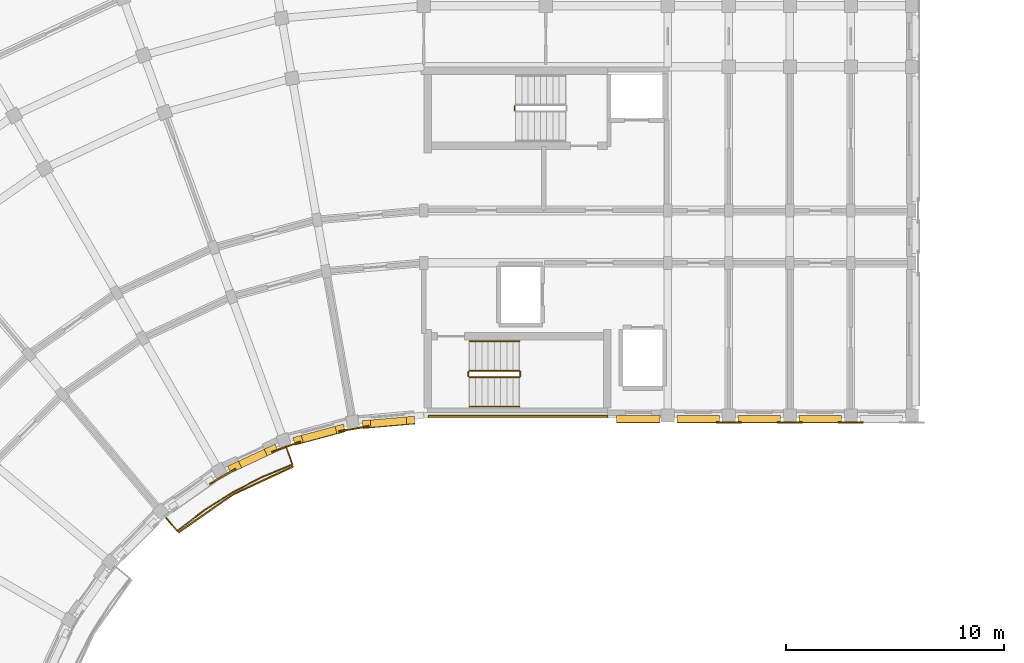
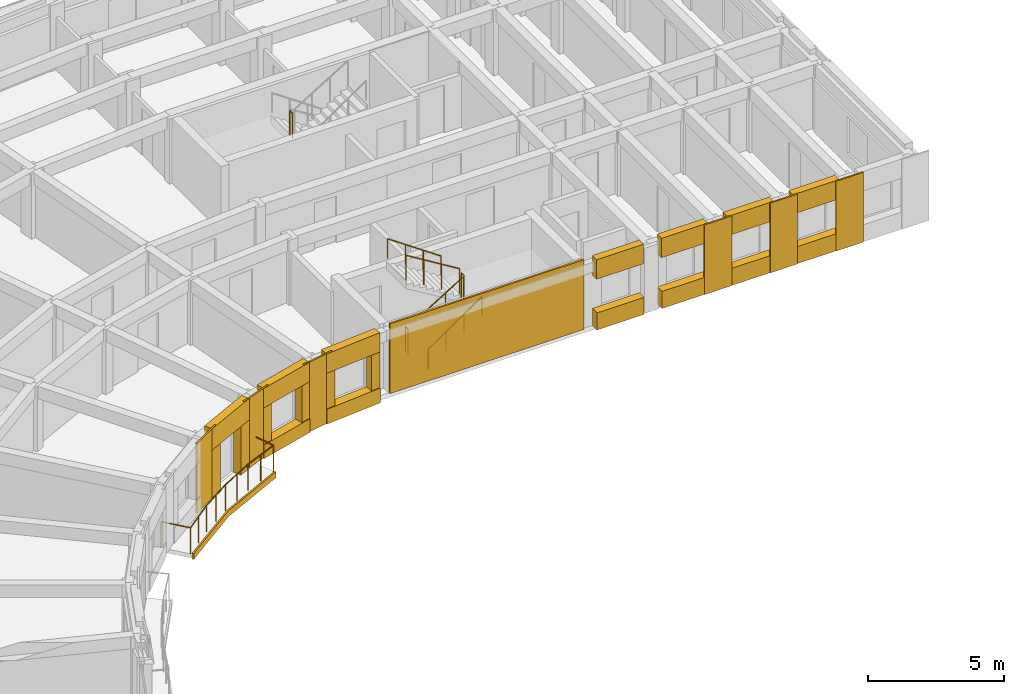
# One storey, part 26 of 32: 27 coverings, 8 railings.
"""IFC4 building model written with IfcOpenShell, lengths in metres."""

from ifc_helpers import new_model, si_unit, direction, frame, origin, origin_2d, place, context, subcontext, project, spatial, polyline, circle, outline, extrude, material, layer, layer_set, type_object, element, save


model = new_model("IFC4")

# Units and contexts
model_context = context("Model", 3, precision=1e-05, world=origin(), true_north=direction((0.0, 1.0)))
body_context = subcontext(model_context, "Body", "Model", "MODEL_VIEW")
ifc_project = project(units=[si_unit("LENGTHUNIT", "METRE"), si_unit("AREAUNIT", "SQUARE_METRE"), si_unit("VOLUMEUNIT", "CUBIC_METRE"), si_unit("PLANEANGLEUNIT", "RADIAN"), si_unit("MASSUNIT", "GRAM", prefix="KILO")], contexts=[model_context])

# Site, building, storey
site_placement = place(None, origin())
site = spatial("IfcSite", under=ifc_project, at=site_placement, CompositionType="ELEMENT")
building_placement = place(site_placement, origin())
building = spatial("IfcBuilding", under=site, at=building_placement, Name="Kiranvali Square Residences", CompositionType="ELEMENT")
storey_placement = place(building_placement, frame((0.0, 0.0, 40.199951171875)))
storey = spatial("IfcBuildingStorey", under=building, at=storey_placement, Name="L12", CompositionType="ELEMENT", Elevation=40.199951171875)

# Coverings
ifc_material_1 = material(Name="Carved Porbandar limestone classical entablature and cornice", Category="masonry")
ifc_layer_1 = layer(ifc_material_1, 0.06201171875)
ifc_layer_set_1 = layer_set([ifc_layer_1], Name="Carved Porbandar limestone classical entablature and cornice")
covering_type_1 = type_object("IfcCoveringType", Name="COV-CLAD-GBAL", PredefinedType="CLADDING", material=ifc_layer_set_1)
covering_1_placement = place(storey_placement, frame((0.0, 0.0, -0.219970703125)))
element("IfcCovering", 1, at=covering_1_placement, inside=storey, type_object=covering_type_1, Name="Block A L12 garden balcony limestone fascia 1", PredefinedType="CLADDING", context=body_context, shape_type="SweptSolid", body=[
    extrude(outline(polyline([(42.1982421875, 104.289794921875), (39.426025390625, 102.9970703125), (36.92041015625, 101.242431640625), (36.964111328125, 101.1904296875), (39.4599609375, 102.938232421875), (42.221435546875, 104.225830078125), (42.1982421875, 104.289794921875)])), origin(), (0.0, 0.0, 1.0), 0.27001953125),
])
ifc_material_2 = material(Name="Honed Porbandar limestone ashlar facade cladding", Category="masonry")
ifc_layer_2 = layer(ifc_material_2, 0.3798828125)
ifc_layer_set_2 = layer_set([ifc_layer_2], Name="Honed Porbandar limestone ashlar facade cladding")
covering_type_2 = type_object("IfcCoveringType", Name="COV-CLAD-JAMB", PredefinedType="CLADDING", material=ifc_layer_set_2)
covering_2_placement = place(storey_placement, frame((0.0, 0.0, 0.672119140625)))
element("IfcCovering", 2, at=covering_2_placement, inside=storey, type_object=covering_type_2, Name="L12 deep limestone window jamb reveal A-L12-GDN-00.L", PredefinedType="CLADDING", context=body_context, shape_type="SweptSolid", body=[
    extrude(outline(polyline([(47.76171875, 106.56103515625), (47.3896484375, 106.528564453125), (47.419189453125, 106.1904296875), (47.791259765625, 106.222900390625), (47.76171875, 106.56103515625)])), origin(), (0.0, 0.0, 1.0), 1.599853515625),
])
covering_3_placement = place(storey_placement, frame((0.0, 0.0, 0.672119140625)))
element("IfcCovering", 3, at=covering_3_placement, inside=storey, type_object=covering_type_2, Name="L12 deep limestone window jamb reveal A-L12-GDN-00.R", PredefinedType="CLADDING", context=body_context, shape_type="SweptSolid", body=[
    extrude(outline(polyline([(45.745849609375, 106.384765625), (45.373779296875, 106.352294921875), (45.4033203125, 106.013916015625), (45.775390625, 106.046630859375), (45.745849609375, 106.384765625)])), origin(), (0.0, 0.0, 1.0), 1.599853515625),
])
covering_4_placement = place(storey_placement, frame((0.0, 0.0, 0.6220703125)))
element("IfcCovering", 4, at=covering_4_placement, inside=storey, type_object=covering_type_2, Name="L12 deep limestone window jamb reveal A-L12-GDN-01.L", PredefinedType="CLADDING", context=body_context, shape_type="SweptSolid", body=[
    extrude(outline(polyline([(44.510498046875, 106.199951171875), (44.12548828125, 106.096923828125), (44.21337890625, 105.76904296875), (44.598388671875, 105.8720703125), (44.510498046875, 106.199951171875)])), origin(), (0.0, 0.0, 1.0), 1.64990234375),
])
covering_5_placement = place(storey_placement, frame((0.0, 0.0, 0.6220703125)))
element("IfcCovering", 5, at=covering_5_placement, inside=storey, type_object=covering_type_2, Name="L12 deep limestone window jamb reveal A-L12-GDN-01.R", PredefinedType="CLADDING", context=body_context, shape_type="SweptSolid", body=[
    extrude(outline(polyline([(42.580078125, 105.682861328125), (42.195068359375, 105.57958984375), (42.282958984375, 105.251708984375), (42.66796875, 105.354736328125), (42.580078125, 105.682861328125)])), origin(), (0.0, 0.0, 1.0), 1.64990234375),
])
covering_6_placement = place(storey_placement, origin())
element("IfcCovering", 6, at=covering_6_placement, inside=storey, type_object=covering_type_2, Name="L12 deep limestone window jamb reveal A-L12-GDN-02.L", PredefinedType="CLADDING", context=body_context, shape_type="SweptSolid", body=[
    extrude(outline(polyline([(41.37158203125, 105.27978515625), (40.874267578125, 105.048095703125), (41.017822265625, 104.740234375), (41.514892578125, 104.97216796875), (41.37158203125, 105.27978515625)])), origin(), (0.0, 0.0, 1.0), 2.179931640625),
])
covering_7_placement = place(storey_placement, origin())
element("IfcCovering", 7, at=covering_7_placement, inside=storey, type_object=covering_type_2, Name="L12 deep limestone window jamb reveal A-L12-GDN-02.R", PredefinedType="CLADDING", context=body_context, shape_type="SweptSolid", body=[
    extrude(outline(polyline([(39.696044921875, 104.49853515625), (39.198974609375, 104.266845703125), (39.342529296875, 103.958984375), (39.839599609375, 104.19091796875), (39.696044921875, 104.49853515625)])), origin(), (0.0, 0.0, 1.0), 2.179931640625),
])
ifc_layer_3 = layer(ifc_material_2, 0.06494140625)
ifc_layer_set_3 = layer_set([ifc_layer_3], Name="Honed Porbandar limestone ashlar facade cladding")
covering_type_3 = type_object("IfcCoveringType", Name="COV-CLAD-PIER", PredefinedType="CLADDING", material=ifc_layer_set_3)
covering_8_placement = place(storey_placement, frame((0.0, 0.0, 0.005126953125)))
element("IfcCovering", 8, at=covering_8_placement, inside=storey, type_object=covering_type_3, Name="Block A L12 garden stair limestone ashlar cladding", PredefinedType="CLADDING", context=body_context, shape_type="SweptSolid", body=[
    extrude(outline(polyline([(48.39990234375, 106.52001953125), (56.64990234375, 106.52001953125), (56.64990234375, 106.597900390625), (48.39990234375, 106.597900390625), (48.39990234375, 106.52001953125)])), origin(), (0.0, 0.0, 1.0), 3.139892578125),
])
ifc_layer_4 = layer(ifc_material_2, 0.050048828125)
ifc_layer_set_4 = layer_set([ifc_layer_4], Name="Honed Porbandar limestone ashlar facade cladding")
covering_type_4 = type_object("IfcCoveringType", Name="COV-CLAD-PIER-IN", PredefinedType="CLADDING", material=ifc_layer_set_4)
covering_9_placement = place(storey_placement, frame((0.0, 0.0, 0.005126953125)))
element("IfcCovering", 9, at=covering_9_placement, inside=storey, type_object=covering_type_4, Name="L12 Classical garden courtyard pilaster CLAD-PRIN-A-L12-A01", PredefinedType="CLADDING", context=body_context, shape_type="SweptSolid", body=[
    extrude(outline(polyline([(44.31005859375, 105.830322265625), (45.688720703125, 106.073486328125), (45.677001953125, 106.139892578125), (44.29833984375, 105.89697265625), (44.31005859375, 105.830322265625)])), origin(), (0.0, 0.0, 1.0), 3.139892578125),
])
covering_10_placement = place(storey_placement, frame((0.0, 0.0, 0.005126953125)))
element("IfcCovering", 10, at=covering_10_placement, inside=storey, type_object=covering_type_4, Name="L12 Classical garden courtyard pilaster CLAD-PRIN-A-L12-A02", PredefinedType="CLADDING", context=body_context, shape_type="SweptSolid", body=[
    extrude(outline(polyline([(41.238037109375, 104.881103515625), (42.5537109375, 105.35986328125), (42.530517578125, 105.42333984375), (41.215087890625, 104.9443359375), (41.238037109375, 104.881103515625)])), origin(), (0.0, 0.0, 1.0), 3.139892578125),
])
covering_11_placement = place(storey_placement, frame((0.0, 0.0, 0.005126953125)))
element("IfcCovering", 11, at=covering_11_placement, inside=storey, type_object=covering_type_4, Name="L12 Classical garden courtyard pilaster CLAD-PRIN-A-L12-A03", PredefinedType="CLADDING", context=body_context, shape_type="SweptSolid", body=[
    extrude(outline(polyline([(38.377685546875, 103.41259765625), (39.59033203125, 104.112548828125), (39.556396484375, 104.171142578125), (38.343994140625, 103.470947265625), (38.377685546875, 103.41259765625)])), origin(), (0.0, 0.0, 1.0), 3.139892578125),
])
covering_12_placement = place(storey_placement, frame((0.0, 0.0, 0.005126953125)))
element("IfcCovering", 12, at=covering_12_placement, inside=storey, type_object=covering_type_4, Name="L12 Classical limestone pilaster casing CLAD-PRA1I-A-L12-U140", PredefinedType="CLADDING", context=body_context, shape_type="SweptSolid", body=[
    extrude(outline(polyline([(61.6201171875, 106.23193359375), (62.780029296875, 106.23193359375), (62.780029296875, 106.299560546875), (61.6201171875, 106.299560546875), (61.6201171875, 106.23193359375)])), origin(), (0.0, 0.0, 1.0), 3.139892578125),
])
covering_13_placement = place(storey_placement, frame((0.0, 0.0, 0.005126953125)))
element("IfcCovering", 13, at=covering_13_placement, inside=storey, type_object=covering_type_4, Name="L12 Classical limestone pilaster casing CLAD-PRA1I-A-L12-U167", PredefinedType="CLADDING", context=body_context, shape_type="SweptSolid", body=[
    extrude(outline(polyline([(64.419921875, 106.23193359375), (65.580078125, 106.23193359375), (65.580078125, 106.299560546875), (64.419921875, 106.299560546875), (64.419921875, 106.23193359375)])), origin(), (0.0, 0.0, 1.0), 3.139892578125),
])
covering_14_placement = place(storey_placement, frame((0.0, 0.0, 0.005126953125)))
element("IfcCovering", 14, at=covering_14_placement, inside=storey, type_object=covering_type_4, Name="L12 Classical limestone pilaster casing CLAD-PRA1I-A-L12-U195", PredefinedType="CLADDING", context=body_context, shape_type="SweptSolid", body=[
    extrude(outline(polyline([(67.219970703125, 106.23193359375), (68.3798828125, 106.23193359375), (68.3798828125, 106.299560546875), (67.219970703125, 106.299560546875), (67.219970703125, 106.23193359375)])), origin(), (0.0, 0.0, 1.0), 3.139892578125),
])
ifc_layer_5 = layer(ifc_material_2, 0.360107421875)
ifc_layer_set_5 = layer_set([ifc_layer_5], Name="Honed Porbandar limestone ashlar facade cladding")
covering_type_5 = type_object("IfcCoveringType", Name="COV-CLAD-WALL", PredefinedType="CLADDING", material=ifc_layer_set_5)
covering_15_placement = place(storey_placement, frame((0.0, 0.0, 2.27197265625)))
element("IfcCovering", 15, at=covering_15_placement, inside=storey, type_object=covering_type_5, Name="L12 light limestone spandrel lintel A-L12-GDN-00", PredefinedType="CLADDING", context=body_context, shape_type="SweptSolid", body=[
    extrude(outline(polyline([(47.76171875, 106.56103515625), (45.373779296875, 106.352294921875), (45.4033203125, 106.013916015625), (47.791259765625, 106.222900390625), (47.76171875, 106.56103515625)])), origin(), (0.0, 0.0, 1.0), 0.873046875),
])
covering_16_placement = place(storey_placement, frame((0.0, 0.0, 2.27197265625)))
element("IfcCovering", 16, at=covering_16_placement, inside=storey, type_object=covering_type_5, Name="L12 light limestone spandrel lintel A-L12-GDN-01", PredefinedType="CLADDING", context=body_context, shape_type="SweptSolid", body=[
    extrude(outline(polyline([(44.510498046875, 106.199951171875), (42.195068359375, 105.57958984375), (42.282958984375, 105.251708984375), (44.598388671875, 105.8720703125), (44.510498046875, 106.199951171875)])), origin(), (0.0, 0.0, 1.0), 0.873046875),
])
covering_17_placement = place(storey_placement, frame((0.0, 0.0, 2.179931640625)))
element("IfcCovering", 17, at=covering_17_placement, inside=storey, type_object=covering_type_5, Name="L12 light limestone spandrel lintel A-L12-GDN-02", PredefinedType="CLADDING", context=body_context, shape_type="SweptSolid", body=[
    extrude(outline(polyline([(41.37158203125, 105.27978515625), (39.198974609375, 104.266845703125), (39.342529296875, 103.958984375), (41.514892578125, 104.97216796875), (41.37158203125, 105.27978515625)])), origin(), (0.0, 0.0, 1.0), 0.965087890625),
])
covering_18_placement = place(storey_placement, frame((0.0, 0.0, 2.27197265625)))
element("IfcCovering", 18, at=covering_18_placement, inside=storey, type_object=covering_type_5, Name="L12 light limestone spandrel lintel A-L12-A1IN-0", PredefinedType="CLADDING", context=body_context, shape_type="SweptSolid", body=[
    extrude(outline(polyline([(57.050048828125, 106.280029296875), (59.050048828125, 106.280029296875), (59.050048828125, 106.599609375), (57.050048828125, 106.599609375), (57.050048828125, 106.280029296875)])), origin(), (0.0, 0.0, 1.0), 0.873046875),
])
covering_19_placement = place(storey_placement, frame((0.0, 0.0, 2.27197265625)))
element("IfcCovering", 19, at=covering_19_placement, inside=storey, type_object=covering_type_5, Name="L12 light limestone spandrel lintel A-L12-A1I-0", PredefinedType="CLADDING", context=body_context, shape_type="SweptSolid", body=[
    extrude(outline(polyline([(59.820068359375, 106.280029296875), (61.780029296875, 106.280029296875), (61.780029296875, 106.599609375), (59.820068359375, 106.599609375), (59.820068359375, 106.280029296875)])), origin(), (0.0, 0.0, 1.0), 0.873046875),
])
covering_20_placement = place(storey_placement, frame((0.0, 0.0, 2.27197265625)))
element("IfcCovering", 20, at=covering_20_placement, inside=storey, type_object=covering_type_5, Name="L12 light limestone spandrel lintel A-L12-A1I-1", PredefinedType="CLADDING", context=body_context, shape_type="SweptSolid", body=[
    extrude(outline(polyline([(62.6201171875, 106.280029296875), (64.580078125, 106.280029296875), (64.580078125, 106.599609375), (62.6201171875, 106.599609375), (62.6201171875, 106.280029296875)])), origin(), (0.0, 0.0, 1.0), 0.873046875),
])
covering_21_placement = place(storey_placement, frame((0.0, 0.0, 2.27197265625)))
element("IfcCovering", 21, at=covering_21_placement, inside=storey, type_object=covering_type_5, Name="L12 light limestone spandrel lintel A-L12-A1I-2", PredefinedType="CLADDING", context=body_context, shape_type="SweptSolid", body=[
    extrude(outline(polyline([(65.419921875, 106.280029296875), (67.3798828125, 106.280029296875), (67.3798828125, 106.599609375), (65.419921875, 106.599609375), (65.419921875, 106.280029296875)])), origin(), (0.0, 0.0, 1.0), 0.873046875),
])
ifc_layer_6 = layer(ifc_material_2, 0.320068359375)
ifc_layer_set_6 = layer_set([ifc_layer_6], Name="Honed Porbandar limestone ashlar facade cladding")
covering_type_6 = type_object("IfcCoveringType", Name="COV-CLAD-WALL-UP", PredefinedType="CLADDING", material=ifc_layer_set_6)
covering_22_placement = place(storey_placement, frame((0.0, 0.0, 0.005126953125)))
element("IfcCovering", 22, at=covering_22_placement, inside=storey, type_object=covering_type_6, Name="L12 limestone window sill apron A-L12-GDN-00", PredefinedType="CLADDING", context=body_context, shape_type="SweptSolid", body=[
    extrude(outline(polyline([(47.76171875, 106.56103515625), (45.373779296875, 106.352294921875), (45.406005859375, 105.984130859375), (47.7939453125, 106.193115234375), (47.76171875, 106.56103515625)])), origin(), (0.0, 0.0, 1.0), 0.6669921875),
])
covering_23_placement = place(storey_placement, frame((0.0, 0.0, 0.005126953125)))
element("IfcCovering", 23, at=covering_23_placement, inside=storey, type_object=covering_type_6, Name="L12 limestone window sill apron A-L12-GDN-01", PredefinedType="CLADDING", context=body_context, shape_type="SweptSolid", body=[
    extrude(outline(polyline([(44.510498046875, 106.199951171875), (42.195068359375, 105.57958984375), (42.290771484375, 105.22265625), (44.606201171875, 105.843017578125), (44.510498046875, 106.199951171875)])), origin(), (0.0, 0.0, 1.0), 0.616943359375),
])
covering_24_placement = place(storey_placement, frame((0.0, 0.0, 0.005126953125)))
element("IfcCovering", 24, at=covering_24_placement, inside=storey, type_object=covering_type_6, Name="L12 limestone window sill apron A-L12-A1IN-0", PredefinedType="CLADDING", context=body_context, shape_type="SweptSolid", body=[
    extrude(outline(polyline([(57.050048828125, 106.25), (59.050048828125, 106.25), (59.050048828125, 106.599609375), (57.050048828125, 106.599609375), (57.050048828125, 106.25)])), origin(), (0.0, 0.0, 1.0), 0.766845703125),
])
covering_25_placement = place(storey_placement, frame((0.0, 0.0, 0.005126953125)))
element("IfcCovering", 25, at=covering_25_placement, inside=storey, type_object=covering_type_6, Name="L12 limestone window sill apron A-L12-A1I-0", PredefinedType="CLADDING", context=body_context, shape_type="SweptSolid", body=[
    extrude(outline(polyline([(59.820068359375, 106.25), (61.780029296875, 106.25), (61.780029296875, 106.599609375), (59.820068359375, 106.599609375), (59.820068359375, 106.25)])), origin(), (0.0, 0.0, 1.0), 0.766845703125),
])
covering_26_placement = place(storey_placement, frame((0.0, 0.0, 0.005126953125)))
element("IfcCovering", 26, at=covering_26_placement, inside=storey, type_object=covering_type_6, Name="L12 limestone window sill apron A-L12-A1I-1", PredefinedType="CLADDING", context=body_context, shape_type="SweptSolid", body=[
    extrude(outline(polyline([(62.6201171875, 106.25), (64.580078125, 106.25), (64.580078125, 106.599609375), (62.6201171875, 106.599609375), (62.6201171875, 106.25)])), origin(), (0.0, 0.0, 1.0), 0.766845703125),
])
covering_27_placement = place(storey_placement, frame((0.0, 0.0, 0.005126953125)))
element("IfcCovering", 27, at=covering_27_placement, inside=storey, type_object=covering_type_6, Name="L12 limestone window sill apron A-L12-A1I-2", PredefinedType="CLADDING", context=body_context, shape_type="SweptSolid", body=[
    extrude(outline(polyline([(65.419921875, 106.25), (67.3798828125, 106.25), (67.3798828125, 106.599609375), (65.419921875, 106.599609375), (65.419921875, 106.25)])), origin(), (0.0, 0.0, 1.0), 0.766845703125),
])

# Railings
ifc_material_3 = material(Name="Powder-coated architectural bronze balustrade", Category="steel")
railing_type_1 = type_object("IfcRailingType", Name="RL-BAL-GOLD-1200", PredefinedType="BALUSTRADE", material=ifc_material_3)
railing_1_placement = place(storey_placement, frame((41.78369140625, 105.4287109375, 0.0)))
element("IfcRailing", 28, at=railing_1_placement, inside=storey, type_object=railing_type_1, Name="Block A L12 garden balcony gold balustrade 1", PredefinedType="BALUSTRADE", context=body_context, shape_type="SweptSolid", body=[
    extrude(circle(Radius=0.02392578125, at=origin_2d()), frame((0.0, 0.0, 1.17578125), z_axis=(0.341964618562, -0.939712828289, 0.0), x_axis=(0.939712828289, 0.341964618562, 0.0)), (0.0, 0.0, 1.0), 1.150146484375),
    extrude(circle(Radius=0.02392578125, at=origin_2d()), frame((0.393310546875, -1.080810546875, 1.17578125), z_axis=(-0.923892883829, -0.382651197843, 0.0), x_axis=(0.382651197843, -0.923892883829, 0.0)), (0.0, 0.0, 1.0), 1.536376953125),
    extrude(circle(Radius=0.02392578125, at=origin_2d()), frame((-1.026123046875, -1.668701171875, 1.17578125), z_axis=(-0.887029366154, -0.461713009976, 0.0), x_axis=(0.461713009976, -0.887029366154, 0.0)), (0.0, 0.0, 1.0), 1.5361328125),
    extrude(circle(Radius=0.02392578125, at=origin_2d()), frame((-2.388671875, -2.3779296875, 1.17578125), z_axis=(-0.843386539688, -0.537307309343, 0.0), x_axis=(0.537307309343, -0.843386539688, 0.0)), (0.0, 0.0, 1.0), 1.5361328125),
    extrude(circle(Radius=0.02392578125, at=origin_2d()), frame((-3.684326171875, -3.203369140625, 1.17578125), z_axis=(-0.793314680996, -0.608811807471, 0.0), x_axis=(0.608811807471, -0.793314680996, 0.0)), (0.0, 0.0, 1.0), 1.536376953125),
    extrude(circle(Radius=0.02392578125, at=origin_2d()), frame((-4.903076171875, -4.138671875, 1.17578125), z_axis=(-0.642853454051, 0.765989188314, 0.0), x_axis=(-0.765989188314, -0.642853454051, 0.0)), (0.0, 0.0, 1.0), 1.14990234375),
    extrude(circle(Radius=0.02099609375, at=origin_2d()), origin(), (0.0, 0.0, 1.0), 1.15185546875),
    extrude(circle(Radius=0.02099609375, at=origin_2d()), frame((0.393310546875, -1.080810546875, 0.0)), (0.0, 0.0, 1.0), 1.15185546875),
    extrude(circle(Radius=0.02099609375, at=origin_2d()), frame((-0.31640625, -1.374755859375, 0.0)), (0.0, 0.0, 1.0), 1.15185546875),
    extrude(circle(Radius=0.02099609375, at=origin_2d()), frame((-1.026123046875, -1.668701171875, 0.0)), (0.0, 0.0, 1.0), 1.15185546875),
    extrude(circle(Radius=0.02099609375, at=origin_2d()), frame((-1.70751953125, -2.0234375, 0.0)), (0.0, 0.0, 1.0), 1.15185546875),
    extrude(circle(Radius=0.02099609375, at=origin_2d()), frame((-2.388671875, -2.3779296875, 0.0)), (0.0, 0.0, 1.0), 1.15185546875),
    extrude(circle(Radius=0.02099609375, at=origin_2d()), frame((-3.03662109375, -2.79052734375, 0.0)), (0.0, 0.0, 1.0), 1.15185546875),
    extrude(circle(Radius=0.02099609375, at=origin_2d()), frame((-3.684326171875, -3.203369140625, 0.0)), (0.0, 0.0, 1.0), 1.15185546875),
    extrude(circle(Radius=0.02099609375, at=origin_2d()), frame((-4.293701171875, -3.6708984375, 0.0)), (0.0, 0.0, 1.0), 1.15185546875),
    extrude(circle(Radius=0.02099609375, at=origin_2d()), frame((-4.903076171875, -4.138671875, 0.0)), (0.0, 0.0, 1.0), 1.15185546875),
    extrude(circle(Radius=0.02099609375, at=origin_2d()), frame((-5.642333984375, -3.2578125, 0.0)), (0.0, 0.0, 1.0), 1.15185546875),
])
ifc_material_4 = material(Name="Brushed stainless steel tubular handrail", Category="steel")
railing_type_2 = type_object("IfcRailingType", Name="RL-HANDRAIL-900", PredefinedType="HANDRAIL", material=ifc_material_4)
railing_2_placement = place(storey_placement, frame((50.300048828125, 107.0, 0.175048828125)))
element("IfcRailing", 29, at=railing_2_placement, inside=storey, type_object=railing_type_2, Name="L12 ST-A2 stair handrail 1", PredefinedType="HANDRAIL", context=body_context, shape_type="SweptSolid", body=[
    extrude(circle(Radius=0.02392578125, at=origin_2d()), frame((0.0, 0.0, 0.8759765625), z_axis=(0.82278801735, 0.0, 0.568348377763), x_axis=(0.0, 1.0, 0.0)), (0.0, 0.0, 1.0), 2.77099609375),
    extrude(circle(Radius=0.02099609375, at=origin_2d()), origin(), (0.0, 0.0, 1.0), 0.851806640625),
    extrude(circle(Radius=0.02099609375, at=origin_2d()), frame((0.760009765625, 0.0, 0.52490234375)), (0.0, 0.0, 1.0), 0.851806640625),
    extrude(circle(Radius=0.02099609375, at=origin_2d()), frame((1.52001953125, 0.0, 1.050048828125)), (0.0, 0.0, 1.0), 0.851806640625),
    extrude(circle(Radius=0.02099609375, at=origin_2d()), frame((2.280029296875, 0.0, 1.574951171875)), (0.0, 0.0, 1.0), 0.851806640625),
])
railing_3_placement = place(storey_placement, frame((52.580078125, 110.0, 1.75)))
element("IfcRailing", 30, at=railing_3_placement, inside=storey, type_object=railing_type_2, Name="L12 ST-A2 stair handrail 2", PredefinedType="HANDRAIL", context=body_context, shape_type="SweptSolid", body=[
    extrude(circle(Radius=0.02392578125, at=origin_2d()), frame((0.0, 0.0, 0.8759765625), z_axis=(-0.82278801735, 0.0, 0.568348377763), x_axis=(0.0, -1.0, 0.0)), (0.0, 0.0, 1.0), 2.77099609375),
    extrude(circle(Radius=0.02099609375, at=origin_2d()), origin(), (0.0, 0.0, 1.0), 0.851806640625),
    extrude(circle(Radius=0.02099609375, at=origin_2d()), frame((-0.760009765625, 0.0, 0.52490234375)), (0.0, 0.0, 1.0), 0.851806640625),
    extrude(circle(Radius=0.02099609375, at=origin_2d()), frame((-1.52001953125, 0.0, 1.050048828125)), (0.0, 0.0, 1.0), 0.851806640625),
    extrude(circle(Radius=0.02099609375, at=origin_2d()), frame((-2.280029296875, 0.0, 1.574951171875)), (0.0, 0.0, 1.0), 0.851806640625),
])
railing_type_3 = type_object("IfcRailingType", Name="RL-ST-GUARD-1200", PredefinedType="GUARDRAIL", material=ifc_material_3)
railing_4_placement = place(storey_placement, frame((52.3701171875, 120.800048828125, 1.574951171875)))
element("IfcRailing", 31, at=railing_4_placement, inside=storey, type_object=railing_type_3, Name="L12 ST-A1 stair guard 2", PredefinedType="GUARDRAIL", context=body_context, shape_type="SweptSolid", body=[
    extrude(circle(Radius=0.02392578125, at=origin_2d()), frame((0.0, 0.0, 1.1259765625), z_axis=(0.0, -1.0, 0.0), x_axis=(1.0, 0.0, 0.0)), (0.0, 0.0, 1.0), 0.199951171875),
    extrude(circle(Radius=0.02099609375, at=origin_2d()), origin(), (0.0, 0.0, 1.0), 1.101806640625),
    extrude(circle(Radius=0.02099609375, at=origin_2d()), frame((0.0, -0.199951171875, 0.0)), (0.0, 0.0, 1.0), 1.101806640625),
])
railing_5_placement = place(storey_placement, frame((50.300048828125, 108.35009765625, 0.175048828125)))
element("IfcRailing", 32, at=railing_5_placement, inside=storey, type_object=railing_type_3, Name="L12 ST-A2 stair guard 1", PredefinedType="GUARDRAIL", context=body_context, shape_type="SweptSolid", body=[
    extrude(circle(Radius=0.02392578125, at=origin_2d()), frame((0.0, 0.0, 1.1259765625), z_axis=(0.852190499154, 0.0, 0.523231643875), x_axis=(0.0, 1.0, 0.0)), (0.0, 0.0, 1.0), 2.675537109375),
    extrude(circle(Radius=0.02099609375, at=origin_2d()), origin(), (0.0, 0.0, 1.0), 1.101806640625),
    extrude(circle(Radius=0.02099609375, at=origin_2d()), frame((0.760009765625, 0.0, 0.466552734375)), (0.0, 0.0, 1.0), 1.101806640625),
    extrude(circle(Radius=0.02099609375, at=origin_2d()), frame((1.52001953125, 0.0, 0.933349609375)), (0.0, 0.0, 1.0), 1.101806640625),
    extrude(circle(Radius=0.02099609375, at=origin_2d()), frame((2.280029296875, 0.0, 1.39990234375)), (0.0, 0.0, 1.0), 1.101806640625),
])
railing_6_placement = place(storey_placement, frame((52.6298828125, 108.39990234375, 1.574951171875)))
element("IfcRailing", 33, at=railing_6_placement, inside=storey, type_object=railing_type_3, Name="L12 ST-A2 stair guard 2", PredefinedType="GUARDRAIL", context=body_context, shape_type="SweptSolid", body=[
    extrude(circle(Radius=0.02392578125, at=origin_2d()), frame((0.0, 0.0, 1.1259765625), z_axis=(0.0, 1.0, 0.0), x_axis=(-1.0, 0.0, 0.0)), (0.0, 0.0, 1.0), 0.2001953125),
    extrude(circle(Radius=0.02099609375, at=origin_2d()), origin(), (0.0, 0.0, 1.0), 1.101806640625),
    extrude(circle(Radius=0.02099609375, at=origin_2d()), frame((0.0, 0.2001953125, 0.0)), (0.0, 0.0, 1.0), 1.101806640625),
])
railing_7_placement = place(storey_placement, frame((52.580078125, 108.64990234375, 1.75)))
element("IfcRailing", 34, at=railing_7_placement, inside=storey, type_object=railing_type_3, Name="L12 ST-A2 stair guard 3", PredefinedType="GUARDRAIL", context=body_context, shape_type="SweptSolid", body=[
    extrude(circle(Radius=0.02392578125, at=origin_2d()), frame((0.0, 0.0, 1.1259765625), z_axis=(-0.852149810458, 0.0, 0.523297908018), x_axis=(0.0, -1.0, 0.0)), (0.0, 0.0, 1.0), 2.675537109375),
    extrude(circle(Radius=0.02099609375, at=origin_2d()), origin(), (0.0, 0.0, 1.0), 1.101806640625),
    extrude(circle(Radius=0.02099609375, at=origin_2d()), frame((-0.760009765625, 0.0, 0.466796875)), (0.0, 0.0, 1.0), 1.101806640625),
    extrude(circle(Radius=0.02099609375, at=origin_2d()), frame((-1.52001953125, 0.0, 0.933349609375)), (0.0, 0.0, 1.0), 1.101806640625),
    extrude(circle(Radius=0.02099609375, at=origin_2d()), frame((-2.280029296875, 0.0, 1.400146484375)), (0.0, 0.0, 1.0), 1.101806640625),
])
railing_8_placement = place(storey_placement, frame((50.25, 108.39990234375, 0.0)))
element("IfcRailing", 35, at=railing_8_placement, inside=storey, type_object=railing_type_3, Name="L12 ST-A2 stair guard 4", PredefinedType="GUARDRAIL", context=body_context, shape_type="SweptSolid", body=[
    extrude(circle(Radius=0.02392578125, at=origin_2d()), frame((0.0, 0.0, 1.1259765625), z_axis=(0.0, 1.0, 0.0), x_axis=(-1.0, 0.0, 0.0)), (0.0, 0.0, 1.0), 0.2001953125),
    extrude(circle(Radius=0.02099609375, at=origin_2d()), origin(), (0.0, 0.0, 1.0), 1.101806640625),
    extrude(circle(Radius=0.02099609375, at=origin_2d()), frame((0.0, 0.2001953125, 0.0)), (0.0, 0.0, 1.0), 1.101806640625),
])

save(model, "model.ifc")
